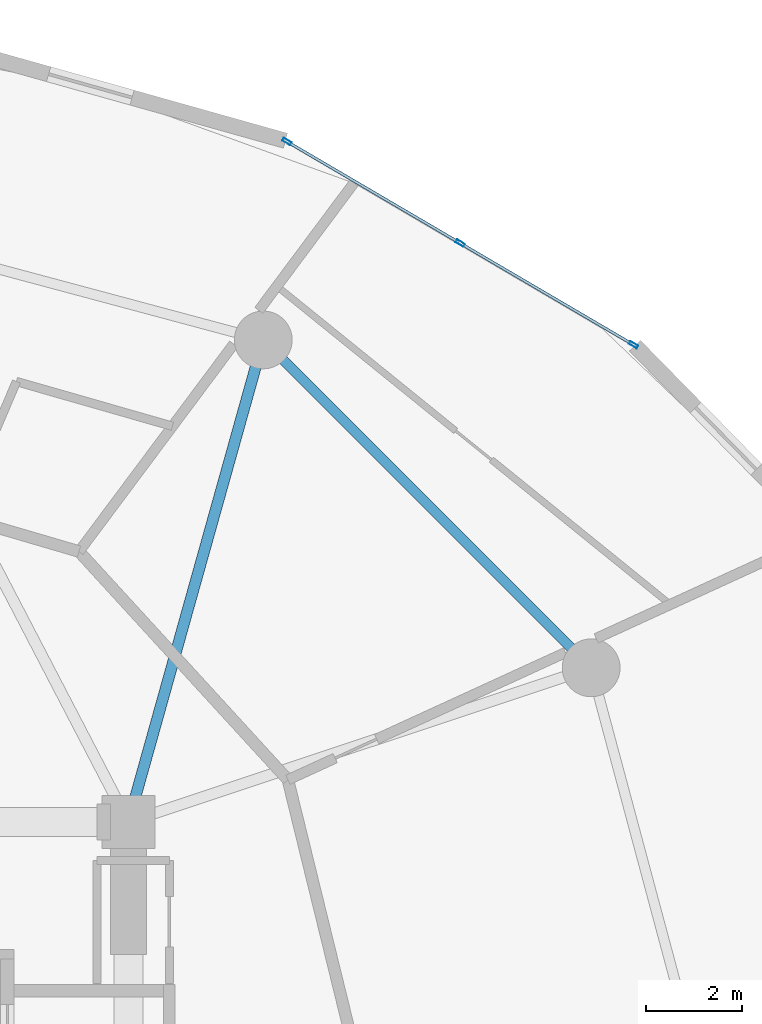
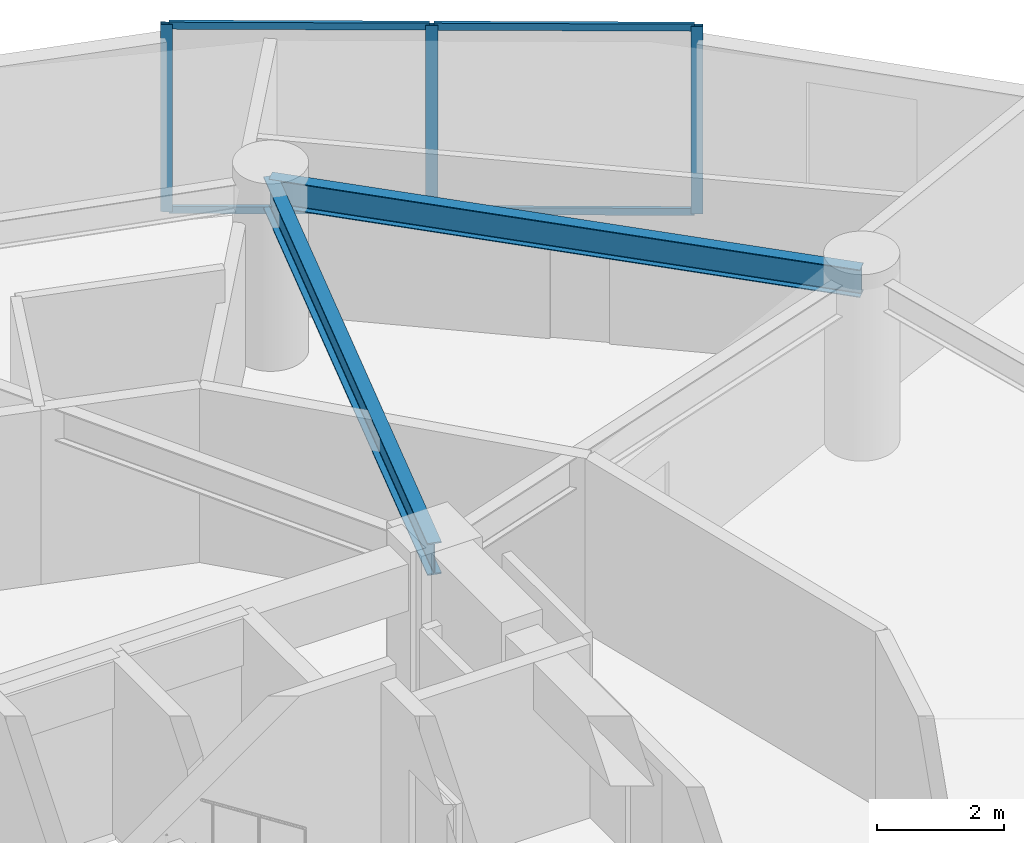
# One storey, part 17 of 24: 7 members, 2 beams, 1 element without a shape of its own.
"""IFC4 building model written with IfcOpenShell, lengths in metres."""

from ifc_helpers import new_model, si_unit, direction, frame, origin, origin_2d, place, context, subcontext, project, spatial, hollow_rectangle, i_section, extrude, source, transform, mapped, material, layer, layer_set, material_profile, profile_set, type_object, element, aggregate, save


model = new_model("IFC4")

# Units and contexts
model_context = context("Model", 3, precision=1e-05, world=origin(), true_north=direction((0.0, 1.0)))
body_context = subcontext(model_context, "Body", "Model", "MODEL_VIEW")
ifc_project = project(units=[si_unit("LENGTHUNIT", "METRE"), si_unit("AREAUNIT", "SQUARE_METRE"), si_unit("VOLUMEUNIT", "CUBIC_METRE"), si_unit("PLANEANGLEUNIT", "RADIAN"), si_unit("MASSUNIT", "GRAM", prefix="KILO")], contexts=[model_context])

# Site, building, storey
site_placement = place(None, origin())
site = spatial("IfcSite", under=ifc_project, at=site_placement, CompositionType="ELEMENT")
building_placement = place(site_placement, origin())
building = spatial("IfcBuilding", under=site, at=building_placement, Name="Solvirekh Grand Hotel", CompositionType="ELEMENT")
storey_placement = place(building_placement, frame((0.0, 0.0, 82.39990234375)))
storey = spatial("IfcBuildingStorey", under=building, at=storey_placement, Name="L20", CompositionType="ELEMENT", Elevation=82.39990234375)

# Beams
ifc_material_1 = material(Name="Steel S355", Category="steel")
ifc_material_profile_1 = material_profile(ifc_material_1, i_section(OverallWidth=0.22998046875, OverallDepth=0.615966796875, WebThickness=0.013916015625, FlangeThickness=0.02392578125, FilletRadius=0.014892578125, at=origin_2d()), Name="W610X174")
ifc_profile_set_1 = profile_set([ifc_material_profile_1], Name="Steel S355")
beam_type_1 = type_object("IfcBeamType", Name="Beam_Primary_W610H", PredefinedType="BEAM", material=ifc_profile_set_1)
beam_1_placement = place(storey_placement, frame((6.5, 6.10009765625, 3.031982421875), z_axis=(0.269439084681, 0.963017434757, 0.0), x_axis=(-0.963017434757, 0.269439084681, 0.0)))
element("IfcBeam", 1, at=beam_1_placement, inside=storey, type_object=beam_type_1, Name="L20 radial floor beam R03", PredefinedType="BEAM", context=body_context, shape_type="SweptSolid", body=[
    extrude(i_section(OverallWidth=0.22998046875, OverallDepth=0.615966796875, WebThickness=0.013916015625, FlangeThickness=0.02392578125, FilletRadius=0.014892578125, at=origin_2d()), origin(), (0.0, 0.0, 1.0), 10.39208984375),
])
ifc_material_profile_2 = material_profile(ifc_material_1, i_section(OverallWidth=0.208984375, OverallDepth=0.532958984375, WebThickness=0.010009765625, FlangeThickness=0.014892578125, FilletRadius=0.013916015625, at=origin_2d()), Name="W530X92")
ifc_profile_set_2 = profile_set([ifc_material_profile_2], Name="Steel S355")
beam_type_2 = type_object("IfcBeamType", Name="Spandrel_Ring_W530", PredefinedType="SPANDREL", material=ifc_profile_set_2)
beam_2_placement = place(storey_placement, frame((16.10791015625, 9.300048828125, 3.07421875), z_axis=(-0.707106781187, 0.707106781187, 0.0), x_axis=(-0.707106781187, -0.707106781187, 0.0)))
element("IfcBeam", 2, at=beam_2_placement, inside=storey, type_object=beam_type_2, Name="L20 perimeter spandrel beam 2", PredefinedType="SPANDREL", context=body_context, shape_type="SweptSolid", body=[
    extrude(i_section(OverallWidth=0.208984375, OverallDepth=0.532958984375, WebThickness=0.010009765625, FlangeThickness=0.014892578125, FilletRadius=0.013916015625, at=origin_2d()), origin(), (0.0, 0.0, 1.0), 9.627685546875),
])

# Curtain wall, members
ifc_material_2 = material(Name="Anodized Bronze Aluminium 6063-T6", Category="aluminium")
ifc_layer = layer(ifc_material_2, 0.18994140625)
ifc_layer_set = layer_set([ifc_layer], Name="Anodized Bronze Aluminium 6063-T6")
curtain_wall_type = type_object("IfcCurtainWallType", Name="CW_Sys2_LowZoneFlushBronzeCW", PredefinedType="NOTDEFINED", material=ifc_layer_set)
curtain_wall_placement = place(storey_placement, origin())
curtain_wall = element("IfcCurtainWall", 3, at=curtain_wall_placement, inside=storey, type_object=curtain_wall_type, Name="L20 unitised bronze-glass curtain wall CW-L20-C05", PredefinedType="NOTDEFINED")
ifc_material_profile_3 = material_profile(ifc_material_2, hollow_rectangle(XDim=0.070068359375, YDim=0.18994140625, WallThickness=0.0048828125, at=origin_2d()), Name="ALU RHS 190X70X5")
ifc_profile_set_3 = profile_set([ifc_material_profile_3], Name="Anodized Bronze Aluminium 6063-T6")
member_type_1 = type_object("IfcMemberType", Name="CWMullion_Sys2", PredefinedType="MULLION", material=ifc_profile_set_3)
shared_shape_1 = source(origin(), body_context, "Body", "SweptSolid", [
    extrude(hollow_rectangle(XDim=0.070068359375, YDim=0.18994140625, WallThickness=0.0048828125, at=origin_2d()), origin(), (0.0, 0.0, 1.0), 3.60009765625),
])
member_1_placement = place(storey_placement, frame((16.98681640625, 16.006591796875, 0.0), z_axis=(0.0, 0.0, 1.0), x_axis=(-0.505887267896, -0.86259960131, 0.0)))
member_1 = element("IfcMember", 4, at=member_1_placement, type_object=member_type_1, Name="U02 mullion 1", PredefinedType="MULLION", context=body_context, shape_type="MappedRepresentation", body=[
    mapped(shared_shape_1, transform((0.0, 0.0, 0.0), x_axis=(1.0, 0.0, 0.0), y_axis=(0.0, 1.0, 0.0), z_axis=(0.0, 0.0, 1.0), scale=1.0)),
])
member_2_placement = place(storey_placement, frame((13.388427734375, 18.116943359375, 0.0), z_axis=(0.0, 0.0, 1.0), x_axis=(-0.505887267896, -0.86259960131, 0.0)))
member_2 = element("IfcMember", 5, at=member_2_placement, type_object=member_type_1, Name="U02 mullion 2", PredefinedType="MULLION", context=body_context, shape_type="MappedRepresentation", body=[
    mapped(shared_shape_1, transform((0.0, 0.0, 0.0), x_axis=(1.0, 0.0, 0.0), y_axis=(0.0, 1.0, 0.0), z_axis=(0.0, 0.0, 1.0), scale=1.0)),
])
member_3_placement = place(storey_placement, frame((9.790283203125, 20.227294921875, 0.0), z_axis=(0.0, 0.0, 1.0), x_axis=(-0.505887267896, -0.86259960131, 0.0)))
member_3 = element("IfcMember", 6, at=member_3_placement, type_object=member_type_1, Name="U02 mullion 3", PredefinedType="MULLION", context=body_context, shape_type="MappedRepresentation", body=[
    mapped(shared_shape_1, transform((0.0, 0.0, 0.0), x_axis=(1.0, 0.0, 0.0), y_axis=(0.0, 1.0, 0.0), z_axis=(0.0, 0.0, 1.0), scale=1.0)),
])
ifc_material_profile_4 = material_profile(ifc_material_2, hollow_rectangle(XDim=0.06005859375, YDim=0.135009765625, WallThickness=0.00390625, at=origin_2d()), Name="ALU RHS 135X60X4")
ifc_profile_set_4 = profile_set([ifc_material_profile_4], Name="Anodized Bronze Aluminium 6063-T6")
member_type_2 = type_object("IfcMemberType", Name="CWTransom_Sys2", PredefinedType="USERDEFINED", material=ifc_profile_set_4)
shared_shape_2 = source(origin(), body_context, "Body", "SweptSolid", [
    extrude(hollow_rectangle(XDim=0.06005859375, YDim=0.135009765625, WallThickness=0.00390625, at=origin_2d()), origin(), (0.0, 0.0, 1.0), 4.1015625),
])
member_4_placement = place(storey_placement, frame((13.3583984375, 18.134765625, 0.030029296875), z_axis=(-0.862628112842, 0.505838649112, 0.0), x_axis=(-0.505838649112, -0.862628112842, 0.0)))
member_4 = element("IfcMember", 7, at=member_4_placement, type_object=member_type_2, Name="U02 transom 2.1", ObjectType="TRANSOM", PredefinedType="USERDEFINED", context=body_context, shape_type="MappedRepresentation", body=[
    mapped(shared_shape_2, transform((0.0, 0.0, 0.0), x_axis=(1.0, 0.0, 0.0), y_axis=(0.0, 1.0, 0.0), z_axis=(0.0, 0.0, 1.0), scale=1.0)),
])
member_5_placement = place(storey_placement, frame((13.3583984375, 18.134765625, 3.570068359375), z_axis=(-0.862628112842, 0.505838649112, 0.0), x_axis=(-0.505838649112, -0.862628112842, 0.0)))
member_5 = element("IfcMember", 8, at=member_5_placement, type_object=member_type_2, Name="U02 transom 2.2", ObjectType="TRANSOM", PredefinedType="USERDEFINED", context=body_context, shape_type="MappedRepresentation", body=[
    mapped(shared_shape_2, transform((0.0, 0.0, 0.0), x_axis=(1.0, 0.0, 0.0), y_axis=(0.0, 1.0, 0.0), z_axis=(0.0, 0.0, 1.0), scale=1.0)),
])
shared_shape_3 = source(origin(), body_context, "Body", "SweptSolid", [
    extrude(hollow_rectangle(XDim=0.06005859375, YDim=0.135009765625, WallThickness=0.00390625, at=origin_2d()), origin(), (0.0, 0.0, 1.0), 4.101318359375),
])
member_6_placement = place(storey_placement, frame((16.95654296875, 16.0244140625, 0.030029296875), z_axis=(-0.862586904899, 0.505908916206, 0.0), x_axis=(-0.505908916206, -0.862586904899, 0.0)))
member_6 = element("IfcMember", 9, at=member_6_placement, type_object=member_type_2, Name="U02 transom 1.1", ObjectType="TRANSOM", PredefinedType="USERDEFINED", context=body_context, shape_type="MappedRepresentation", body=[
    mapped(shared_shape_3, transform((0.0, 0.0, 0.0), x_axis=(1.0, 0.0, 0.0), y_axis=(0.0, 1.0, 0.0), z_axis=(0.0, 0.0, 1.0), scale=1.0)),
])
member_7_placement = place(storey_placement, frame((16.95654296875, 16.0244140625, 3.570068359375), z_axis=(-0.862586904899, 0.505908916206, 0.0), x_axis=(-0.505908916206, -0.862586904899, 0.0)))
member_7 = element("IfcMember", 10, at=member_7_placement, type_object=member_type_2, Name="U02 transom 1.2", ObjectType="TRANSOM", PredefinedType="USERDEFINED", context=body_context, shape_type="MappedRepresentation", body=[
    mapped(shared_shape_3, transform((0.0, 0.0, 0.0), x_axis=(1.0, 0.0, 0.0), y_axis=(0.0, 1.0, 0.0), z_axis=(0.0, 0.0, 1.0), scale=1.0)),
])
aggregate(curtain_wall, [member_1, member_2, member_3, member_6, member_7, member_4, member_5])

save(model, "model.ifc")
